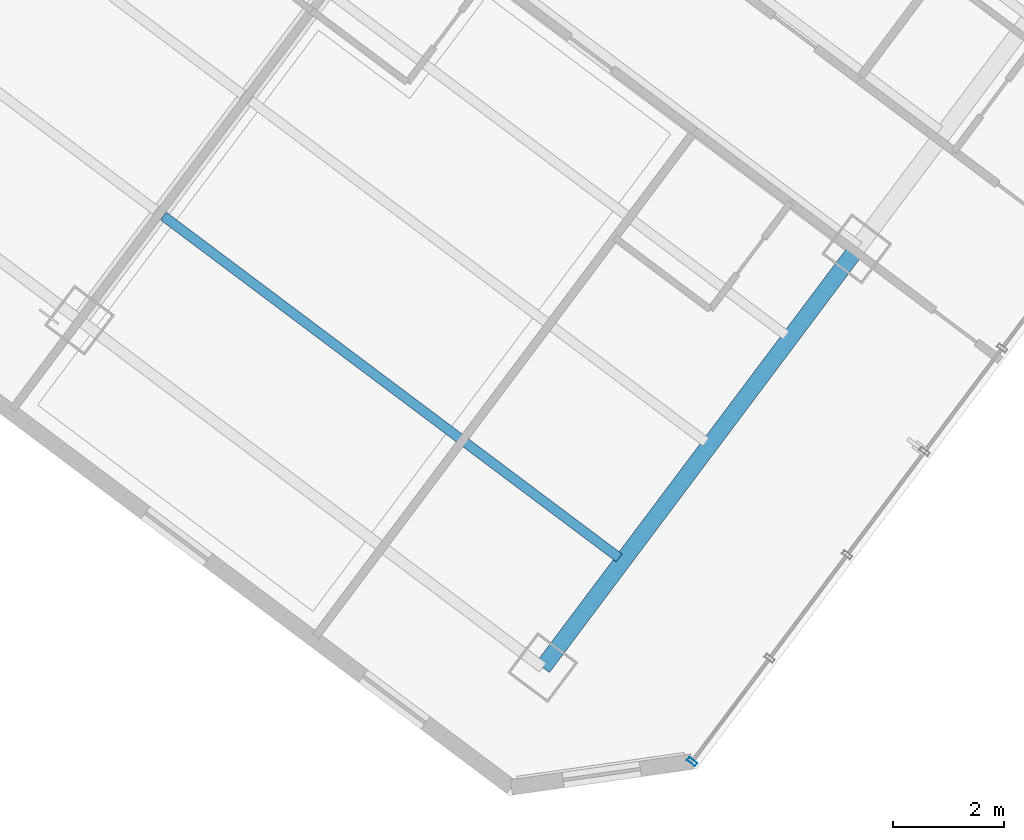
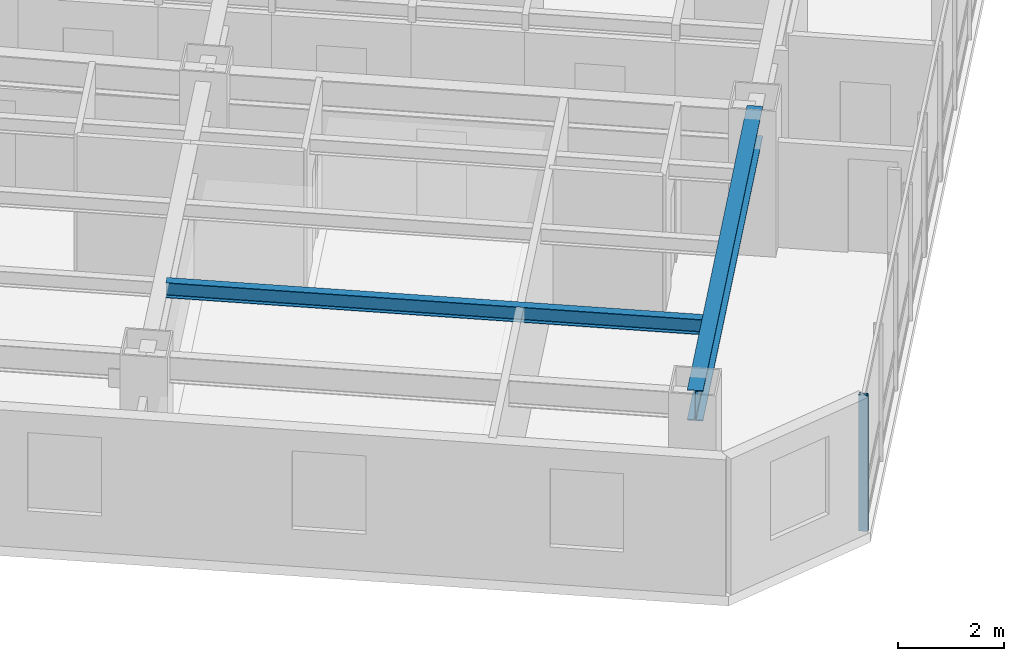
# One storey, part 6 of 31: 2 beams, 1 member, 1 element without a shape of its own.
"""IFC4 building model written with IfcOpenShell, lengths in metres."""

from ifc_helpers import new_model, si_unit, direction, frame, origin, origin_2d, place, context, subcontext, project, spatial, hollow_rectangle, i_section, extrude, material, layer, layer_set, material_profile, profile_set, type_object, element, aggregate, save


model = new_model("IFC4")

# Units and contexts
model_context = context("Model", 3, precision=1e-05, world=origin(), true_north=direction((0.0, 1.0)))
body_context = subcontext(model_context, "Body", "Model", "MODEL_VIEW")
ifc_project = project(units=[si_unit("LENGTHUNIT", "METRE"), si_unit("AREAUNIT", "SQUARE_METRE"), si_unit("VOLUMEUNIT", "CUBIC_METRE"), si_unit("PLANEANGLEUNIT", "RADIAN"), si_unit("MASSUNIT", "GRAM", prefix="KILO")], contexts=[model_context])

# Site, building, storey
site_placement = place(None, origin())
site = spatial("IfcSite", under=ifc_project, at=site_placement, CompositionType="ELEMENT")
building_placement = place(site_placement, origin())
building = spatial("IfcBuilding", under=site, at=building_placement, Name="Hatsunagi Terrace Concourse", CompositionType="ELEMENT")
storey_placement = place(building_placement, frame((0.0, 0.0, 81.300048828125)))
storey = spatial("IfcBuildingStorey", under=building, at=storey_placement, Name="L21", CompositionType="ELEMENT", Elevation=81.300048828125)

# Curtain wall, member
ifc_material_1 = material(Name="Anodised Aluminium Alloy 6063-T5", Category="aluminium")
ifc_layer = layer(ifc_material_1, 0.199951171875)
ifc_layer_set = layer_set([ifc_layer], Name="HotelFacade_CW02")
curtain_wall_type = type_object("IfcCurtainWallType", Name="HotelFacade_CW02", PredefinedType="NOTDEFINED", material=ifc_layer_set)
curtain_wall_placement = place(storey_placement, origin())
curtain_wall = element("IfcCurtainWall", 1, at=curtain_wall_placement, inside=storey, type_object=curtain_wall_type, Name="Unitised Curtain Wall CW-02 CW-L21-03", PredefinedType="NOTDEFINED")
ifc_material_2 = material(Name="Anodised Aluminium Alloy 6063-T5", Category="aluminium")
ifc_material_profile_1 = material_profile(ifc_material_2, hollow_rectangle(XDim=0.070068359375, YDim=0.179931640625, WallThickness=0.00390625, at=origin_2d()), Name="ALU-MUL-180x70x4")
ifc_profile_set_1 = profile_set([ifc_material_profile_1], Name="Anodised Aluminium Alloy 6063-T5")
member_type = type_object("IfcMemberType", Name="CurtainWallMullion_180x70", PredefinedType="MULLION", material=ifc_profile_set_1)
member_placement = place(storey_placement, frame((56.56298828125, 2.949951171875, 0.0), z_axis=(0.0, 0.0, 1.0), x_axis=(-0.599969314634, -0.800023013105, 0.0)))
member = element("IfcMember", 2, at=member_placement, type_object=member_type, Name="Curtain Wall Mullion MUL-02", PredefinedType="MULLION", context=body_context, shape_type="SweptSolid", body=[
    extrude(hollow_rectangle(XDim=0.070068359375, YDim=0.179931640625, WallThickness=0.00390625, at=origin_2d()), origin(), (0.0, 0.0, 1.0), 3.1298828125),
])
aggregate(curtain_wall, [member])

# Beams
ifc_material_3 = material(Name="Steel SN490B", Category="steel")
ifc_material_profile_2 = material_profile(ifc_material_3, i_section(OverallWidth=0.300048828125, OverallDepth=0.699951171875, WebThickness=0.012939453125, FlangeThickness=0.02392578125, FilletRadius=0.02197265625, at=origin_2d()), Name="H-700x300x13x24")
ifc_profile_set_2 = profile_set([ifc_material_profile_2], Name="Steel SN490B")
beam_type_1 = type_object("IfcBeamType", Name="HotelFloorGirder_H_700x300", PredefinedType="BEAM", material=ifc_profile_set_2)
beam_1_placement = place(storey_placement, frame((53.8798828125, 4.639892578125, 2.780029296875), z_axis=(0.600008311051, 0.799993766644, 0.0), x_axis=(-0.799993766644, 0.600008311051, 0.0)))
element("IfcBeam", 3, at=beam_1_placement, inside=storey, type_object=beam_type_1, Name="Beam G-04 BM-L21-SET-3A", PredefinedType="BEAM", context=body_context, shape_type="SweptSolid", body=[
    extrude(i_section(OverallWidth=0.300048828125, OverallDepth=0.699951171875, WebThickness=0.012939453125, FlangeThickness=0.02392578125, FilletRadius=0.02197265625, at=origin_2d()), origin(), (0.0, 0.0, 1.0), 9.400146484375),
])
ifc_material_4 = material(Name="Steel SN490B", Category="steel")
ifc_material_profile_3 = material_profile(ifc_material_4, i_section(OverallWidth=0.175048828125, OverallDepth=0.35009765625, WebThickness=0.007080078125, FlangeThickness=0.010986328125, FilletRadius=0.012939453125, at=origin_2d()), Name="H-350x175x7x11")
ifc_profile_set_3 = profile_set([ifc_material_profile_3], Name="Steel SN490B")
beam_type_2 = type_object("IfcBeamType", Name="HotelJoist_H_350x175", PredefinedType="JOIST", material=ifc_profile_set_3)
beam_2_placement = place(storey_placement, frame((47.068115234375, 12.7490234375, 2.954833984375), z_axis=(0.799997136125, -0.600003818481, 0.0), x_axis=(0.600003818481, 0.799997136125, 0.0)))
element("IfcBeam", 4, at=beam_2_placement, inside=storey, type_object=beam_type_2, Name="Beam J-02 J-L21-SE-3-46", PredefinedType="JOIST", context=body_context, shape_type="SweptSolid", body=[
    extrude(i_section(OverallWidth=0.175048828125, OverallDepth=0.35009765625, WebThickness=0.007080078125, FlangeThickness=0.010986328125, FilletRadius=0.012939453125, at=origin_2d()), origin(), (0.0, 0.0, 1.0), 10.229736328125),
])

save(model, "model.ifc")
